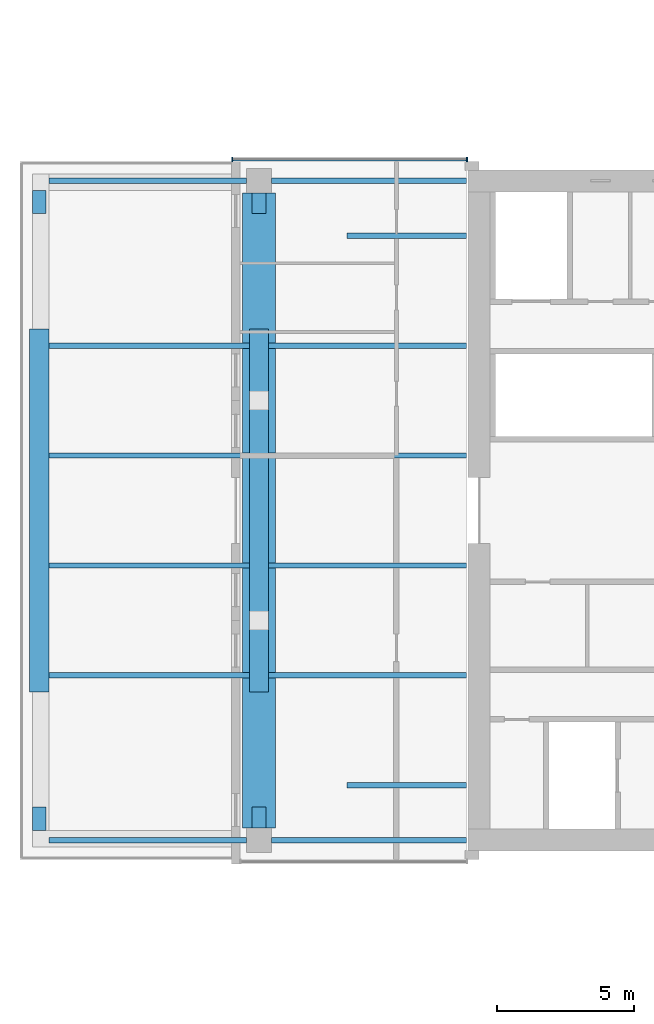
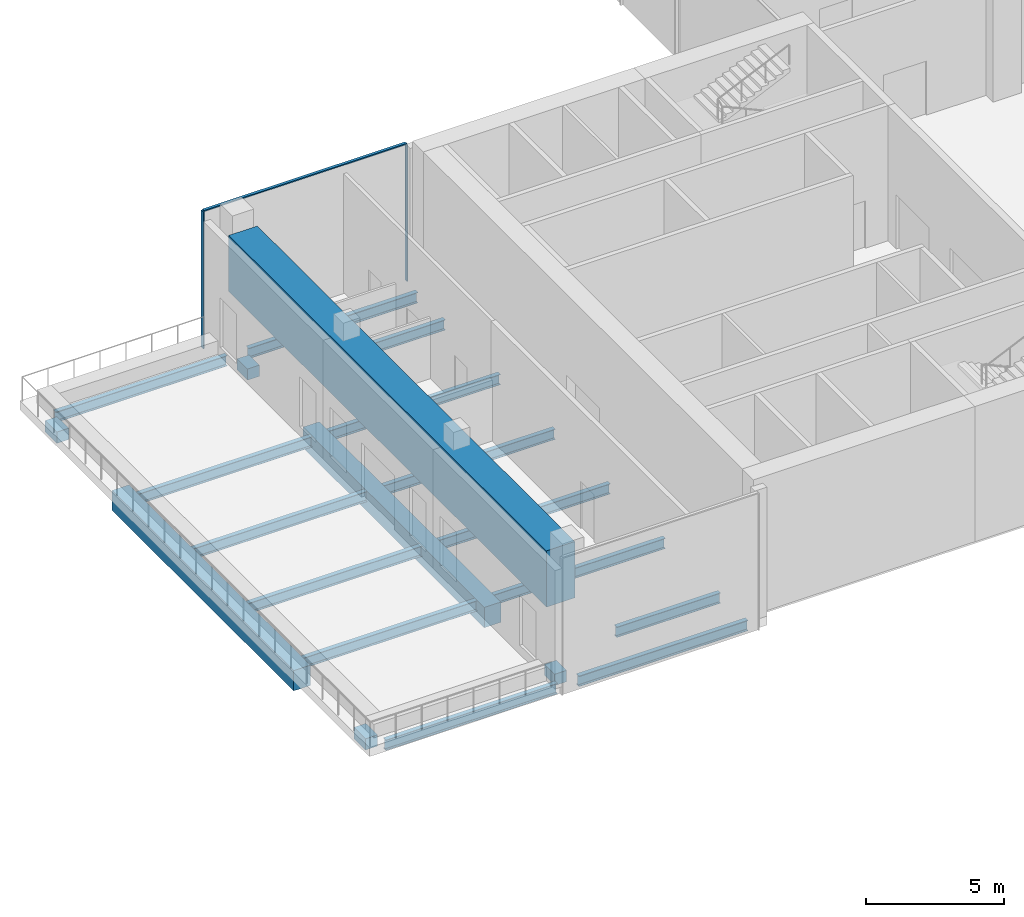
# One storey, part 6 of 23: 21 beams, 3 members, 1 element without a shape of its own.
"""IFC4 building model written with IfcOpenShell, lengths in metres."""

import ifcopenshell
import ifcopenshell.guid

model = None  # the IFC model being written
_history = None  # IfcOwnerHistory: only IFC2X3 demands one
_inside = {}  # id of a spatial element -> (the spatial element, [elements in it])
_under = {}  # id of a project, library or spatial element -> (it, [spatial elements below it])
_declared = {}  # id of a project -> (the project, [libraries it declares])
_typed = {}  # id of a type object -> (the type object, [elements of that type])
_made_of = {}  # id of a material, layer set ... -> (it, [elements and type objects made of it])


def new_model(schema):
    """Start an empty IFC model of exactly this schema.

    Asked for "IFC4X3", IfcOpenShell would pick the latest addendum, in which some entities
    have other attributes; the version numbers below select the first issue.
    IFC2X3 requires an IfcOwnerHistory on every rooted entity: one is made here for all.
    """
    global model, _history
    if schema == "IFC4X3":
        model = ifcopenshell.file(schema_version=(4, 3, 0, 0))
    else:
        model = ifcopenshell.file(schema=schema)
    _inside.clear()
    _under.clear()
    _declared.clear()
    _typed.clear()
    _made_of.clear()
    _history = None
    if model.schema == "IFC2X3":
        org = make("IfcOrganization", Name="unknown")
        user = make(
            "IfcPersonAndOrganization",
            ThePerson=make("IfcPerson", FamilyName="unknown"),
            TheOrganization=org,
        )
        app = make(
            "IfcApplication",
            ApplicationDeveloper=org,
            Version="unknown",
            ApplicationFullName="unknown",
            ApplicationIdentifier="unknown",
        )
        _history = make(
            "IfcOwnerHistory",
            OwningUser=user,
            OwningApplication=app,
            ChangeAction="ADDED",
            CreationDate=0,
        )
    return model


def make(cls, **values):
    """One entity of the class cls with the attributes given. An attribute that is None is left unset."""
    return model.create_entity(
        cls, **{name: value for name, value in values.items() if value is not None}
    )


def rooted(cls, **values):
    """An entity with a GlobalId (a new one), such as an element, a storey or a relation."""
    return make(cls, GlobalId=ifcopenshell.guid.new(), OwnerHistory=_history, **values)


def si_unit(unit_type, name, prefix=None):
    """IfcSIUnit, for example si_unit("LENGTHUNIT", "METRE", prefix="MILLI")."""
    return make("IfcSIUnit", UnitType=unit_type, Prefix=prefix, Name=name)


def assignment(units):
    """IfcUnitAssignment: the units of a project."""
    return None if units is None else make("IfcUnitAssignment", Units=units)


def point(xyz):
    """IfcCartesianPoint."""
    return None if xyz is None else make("IfcCartesianPoint", Coordinates=xyz)


def direction(xyz):
    """IfcDirection."""
    return None if xyz is None else make("IfcDirection", DirectionRatios=xyz)


def frame(location, z_axis=None, x_axis=None):
    """IfcAxis2Placement3D, a coordinate frame: its origin and axes. An axis left out is left unset."""
    return make(
        "IfcAxis2Placement3D",
        Location=point(location),
        Axis=direction(z_axis),
        RefDirection=direction(x_axis),
    )


def frame_2d(location, x_axis=None):
    """IfcAxis2Placement2D, a coordinate frame in the plane: its origin and x axis."""
    return make(
        "IfcAxis2Placement2D", Location=point(location), RefDirection=direction(x_axis)
    )


def origin():
    """The frame at (0, 0, 0) with its axes left unset."""
    return frame((0.0, 0.0, 0.0))


def origin_2d():
    """The frame at (0, 0) in the plane with its x axis left unset."""
    return frame_2d((0.0, 0.0))


def place(relative_to, where):
    """IfcLocalPlacement: puts the frame where relative to a parent placement (None: the world)."""
    return make(
        "IfcLocalPlacement", PlacementRelTo=relative_to, RelativePlacement=where
    )


def context(
    kind, dimensions, precision=None, world=None, true_north=None, identifier=None
):
    """IfcGeometricRepresentationContext, for example the 3D "Model" context."""
    return make(
        "IfcGeometricRepresentationContext",
        ContextIdentifier=identifier,
        ContextType=kind,
        CoordinateSpaceDimension=dimensions,
        Precision=precision,
        WorldCoordinateSystem=world,
        TrueNorth=true_north,
    )


def subcontext(parent, identifier, kind, view, scale=None):
    """IfcGeometricRepresentationSubContext, for example "Body" below "Model"."""
    return make(
        "IfcGeometricRepresentationSubContext",
        ContextIdentifier=identifier,
        ContextType=kind,
        ParentContext=parent,
        TargetScale=scale,
        TargetView=view,
    )


def project(units=None, contexts=None):
    """IfcProject with its units and contexts."""
    return rooted(
        "IfcProject",
        Name="project",
        RepresentationContexts=contexts,
        UnitsInContext=assignment(units),
    )


def spatial(cls, under=None, at=None, **own):
    """A site, building, storey or space (cls), placed at a placement, below another one or the project."""
    s = rooted(cls, ObjectPlacement=at, **own)
    if under is not None:
        _under.setdefault(under.id(), (under, []))[1].append(s)
    return s


def profile(cls, at=None, kind="AREA", **sizes):
    """A parametric profile (cls). Its sizes go by their IFC names, for example OverallWidth=200.0."""
    return make(cls, ProfileType=kind, Position=at, **sizes)


def rectangle(**sizes):
    """IfcRectangleProfileDef."""
    return profile("IfcRectangleProfileDef", **sizes)


def i_section(**sizes):
    """IfcIShapeProfileDef."""
    return profile("IfcIShapeProfileDef", **sizes)


def extrude(swept, where, along, depth):
    """IfcExtrudedAreaSolid: the profile swept, set in the frame where, extruded along a direction by depth."""
    return make(
        "IfcExtrudedAreaSolid",
        SweptArea=swept,
        Position=where,
        ExtrudedDirection=direction(along),
        Depth=depth,
    )


def shape(context_of_items, identifier, shape_type, items):
    """IfcShapeRepresentation: the items that make up one representation, for example the "Body"."""
    return make(
        "IfcShapeRepresentation",
        ContextOfItems=context_of_items,
        RepresentationIdentifier=identifier,
        RepresentationType=shape_type,
        Items=items,
    )


def material(Name=None, Category=None):
    """IfcMaterial."""
    return make("IfcMaterial", Name=Name, Category=Category)


def material_profile(
    of_material, cross_section, Name=None, Category=None, Priority=None
):
    """IfcMaterialProfile: a cross section and its material."""
    return make(
        "IfcMaterialProfile",
        Name=Name,
        Material=of_material,
        Profile=cross_section,
        Priority=Priority,
        Category=Category,
    )


def profile_set(profiles, Name=None, composite=None):
    """IfcMaterialProfileSet."""
    return make(
        "IfcMaterialProfileSet",
        Name=Name,
        MaterialProfiles=profiles,
        CompositeProfile=composite,
    )


def made_of(thing, what):
    """Note that an element or type object is made of a material, layer set ...; save() writes the relation."""
    if what is not None:
        _made_of.setdefault(what.id(), (what, []))[1].append(thing)
    return thing


def type_object(cls, material=None, **own):
    """A type object (cls), such as IfcWallType, which elements share."""
    return made_of(rooted(cls, **own), material)


def element(
    cls,
    number,
    at=None,
    inside=None,
    cuts=None,
    type_object=None,
    material=None,
    context=None,
    identifier="Body",
    shape_type=None,
    held_by="IfcProductDefinitionShape",
    body=None,
    shapes=None,
    **own,
):
    """One element of the class cls, such as IfcWall. Its Tag is "e" and its number.

    at: its placement. inside: the storey or other place that contains it. cuts: it is an
    opening in that element (IfcRelVoidsElement). A single representation is given by context,
    identifier, shape_type and body (its items); several are given by shapes. held_by: the class
    of the entity that holds the representations. save() writes the other relations.
    """
    e = rooted(cls, Tag="e%d" % number, ObjectPlacement=at, **own)
    if body is not None:
        shapes = [shape(context, identifier, shape_type, body)]
    if shapes is not None:
        e.Representation = make(held_by, Representations=shapes)
    if inside is not None:
        _inside.setdefault(inside.id(), (inside, []))[1].append(e)
    if cuts is not None:
        rooted(
            "IfcRelVoidsElement", RelatingBuildingElement=cuts, RelatedOpeningElement=e
        )
    if type_object is not None:
        _typed.setdefault(type_object.id(), (type_object, []))[1].append(e)
    return made_of(e, material)


def aggregate(whole, parts):
    """IfcRelAggregates: a whole, such as a stair, and the parts it consists of."""
    return rooted("IfcRelAggregates", RelatingObject=whole, RelatedObjects=parts)


def save(model, path):
    """Write the relations noted so far, then the file.

    IfcRelAggregates (storeys below a building ...), IfcRelContainedInSpatialStructure (elements
    in a storey), IfcRelDefinesByType, IfcRelAssociatesMaterial and IfcRelDeclares: one each for
    every whole, place, type object, material and project.
    """
    for whole, parts in _under.values():
        aggregate(whole, parts)
    for where, things in _inside.values():
        rooted(
            "IfcRelContainedInSpatialStructure",
            RelatedElements=things,
            RelatingStructure=where,
        )
    for kind, things in _typed.values():
        rooted("IfcRelDefinesByType", RelatedObjects=things, RelatingType=kind)
    for what, things in _made_of.values():
        rooted("IfcRelAssociatesMaterial", RelatedObjects=things, RelatingMaterial=what)
    for by, libraries in _declared.values():
        rooted("IfcRelDeclares", RelatingContext=by, RelatedDefinitions=libraries)
    model.write(path)


model = new_model("IFC4")

# Units and contexts
model_context = context("Model", 3, precision=1e-05, world=origin(), true_north=direction((0.0, 1.0)))
body_context = subcontext(model_context, "Body", "Model", "MODEL_VIEW")
ifc_project = project(units=[si_unit("LENGTHUNIT", "METRE"), si_unit("AREAUNIT", "SQUARE_METRE"), si_unit("VOLUMEUNIT", "CUBIC_METRE"), si_unit("PLANEANGLEUNIT", "RADIAN"), si_unit("MASSUNIT", "GRAM", prefix="KILO")], contexts=[model_context])

# Site, building, storey
site_placement = place(None, origin())
site = spatial("IfcSite", under=ifc_project, at=site_placement, CompositionType="ELEMENT")
building_placement = place(site_placement, origin())
building = spatial("IfcBuilding", under=site, at=building_placement, Name="Crosswind Convention Tower", CompositionType="ELEMENT")
storey_placement = place(building_placement, frame((0.0, 0.0, 47.5)))
storey = spatial("IfcBuildingStorey", under=building, at=storey_placement, Name="L06", CompositionType="ELEMENT", Elevation=47.5)

# Beams
ifc_material_1 = material(Name="Steel S355", Category="steel")
ifc_material_profile_1 = material_profile(ifc_material_1, i_section(OverallWidth=0.19189453125, OverallDepth=0.463623046875, WebThickness=0.010498046875, FlangeThickness=0.017578125, FilletRadius=0.01025390625, at=origin_2d()), Name="UB 457x191x90")
ifc_profile_set_1 = profile_set([ifc_material_profile_1], Name="Steel S355")
beam_type_1 = type_object("IfcBeamType", Name="Edge beam UB 457x191x90", PredefinedType="SPANDREL", material=ifc_profile_set_1)
for number, where, z_axis, x_axis, name in (
    (1, (81.35009765625, 88.0, -0.6318359375), (1.0, 0.0, 0.0), (0.0, 1.0, 0.0), "B19 L06 edge beam 1"),
    (2, (81.35009765625, 112.0, -0.6318359375), (1.0, 0.0, 0.0), (0.0, 1.0, 0.0), "B19 L06 edge beam 2"),
):
    element("IfcBeam", number, at=place(storey_placement, frame(where, z_axis=z_axis, x_axis=x_axis)), inside=storey, type_object=beam_type_1, Name=name, PredefinedType="SPANDREL", context=body_context, shape_type="SweptSolid", body=[
        extrude(i_section(OverallWidth=0.19189453125, OverallDepth=0.463623046875, WebThickness=0.010498046875, FlangeThickness=0.017578125, FilletRadius=0.01025390625, at=origin_2d()), origin(), (0.0, 0.0, 1.0), 7.199951171875),
    ])
for number, where, z_axis, x_axis, name in (
    (3, (89.449951171875, 88.0, -0.6318359375), (1.0, 0.0, 0.0), (0.0, 1.0, 0.0), "B19 L06 edge beam 3"),
    (4, (89.449951171875, 112.0, -0.6318359375), (1.0, 0.0, 0.0), (0.0, 1.0, 0.0), "B19 L06 edge beam 4"),
):
    element("IfcBeam", number, at=place(storey_placement, frame(where, z_axis=z_axis, x_axis=x_axis)), inside=storey, type_object=beam_type_1, Name=name, PredefinedType="SPANDREL", context=body_context, shape_type="SweptSolid", body=[
        extrude(i_section(OverallWidth=0.19189453125, OverallDepth=0.463623046875, WebThickness=0.010498046875, FlangeThickness=0.017578125, FilletRadius=0.01025390625, at=origin_2d()), origin(), (0.0, 0.0, 1.0), 7.10009765625),
    ])

# Curtain wall, members
ifc_material_2 = material(Name="Aluminium unitised curtain wall", Category="aluminium")
curtain_wall_type = type_object("IfcCurtainWallType", Name="CORE END SLOT WALL 160", PredefinedType="USERDEFINED", material=ifc_material_2)
curtain_wall_placement = place(storey_placement, origin())
curtain_wall = element("IfcCurtainWall", 5, at=curtain_wall_placement, inside=storey, type_object=curtain_wall_type, Name="CW6 L06 W-N.2-1 slot", ObjectType="UNITISED", PredefinedType="USERDEFINED")
ifc_material_3 = material(Name="Aluminium mullion", Category="aluminium")
ifc_material_profile_2 = material_profile(ifc_material_3, rectangle(XDim=0.159912109375, YDim=0.050048828125, at=origin_2d()), Name="AL 160X50")
ifc_profile_set_2 = profile_set([ifc_material_profile_2], Name="Aluminium mullion")
member_type_1 = type_object("IfcMemberType", Name="MULLION 50X160", PredefinedType="MULLION", material=ifc_profile_set_2)
member_1_placement = place(storey_placement, frame((96.574951171875, 112.780029296875, -0.39990234375), z_axis=(0.0, 0.0, 1.0), x_axis=(0.0, 1.0, 0.0)))
member_1 = element("IfcMember", 6, at=member_1_placement, type_object=member_type_1, Name="CW6 mullion 1", PredefinedType="MULLION", context=body_context, shape_type="SweptSolid", body=[
    extrude(rectangle(XDim=0.159912109375, YDim=0.050048828125, at=origin_2d()), origin(), (0.0, 0.0, 1.0), 6.06982421875),
])
member_2_placement = place(storey_placement, frame((88.02490234375, 112.780029296875, -0.39990234375), z_axis=(0.0, 0.0, 1.0), x_axis=(0.0, 1.0, 0.0)))
member_2 = element("IfcMember", 7, at=member_2_placement, type_object=member_type_1, Name="CW6 mullion 2", PredefinedType="MULLION", context=body_context, shape_type="SweptSolid", body=[
    extrude(rectangle(XDim=0.159912109375, YDim=0.050048828125, at=origin_2d()), origin(), (0.0, 0.0, 1.0), 6.06982421875),
])

# Beams
ifc_material_4 = material(Name="Concrete C60/75", Category="concrete")
ifc_material_profile_3 = material_profile(ifc_material_4, rectangle(XDim=0.699951171875, YDim=0.89990234375, at=origin_2d()), Name="RC 700X900")
ifc_profile_set_3 = profile_set([ifc_material_profile_3], Name="Concrete C60/75")
beam_type_2 = type_object("IfcBeamType", Name="Prestressed concrete girder between stair walls RC 700X900", PredefinedType="BEAM", material=ifc_profile_set_3)
for number, where, z_axis, x_axis, name in (
    (8, (81.0, 93.39990234375, -0.85009765625), (0.0, 1.0, 0.0), (-1.0, 0.0, 0.0), "B41 L06 prestressed concrete girder between stair walls 1"),
    (9, (89.0, 93.39990234375, -0.85009765625), (0.0, 1.0, 0.0), (-1.0, 0.0, 0.0), "B41 L06 prestressed concrete girder between stair walls 2"),
):
    element("IfcBeam", number, at=place(storey_placement, frame(where, z_axis=z_axis, x_axis=x_axis)), inside=storey, type_object=beam_type_2, Name=name, PredefinedType="BEAM", context=body_context, shape_type="SweptSolid", body=[
        extrude(rectangle(XDim=0.699951171875, YDim=0.89990234375, at=origin_2d()), origin(), (0.0, 0.0, 1.0), 13.2001953125),
    ])
ifc_material_profile_4 = material_profile(ifc_material_1, i_section(OverallWidth=0.1904296875, OverallDepth=0.457275390625, WebThickness=0.009033203125, FlangeThickness=0.014404296875, FilletRadius=0.01025390625, at=origin_2d()), Name="UB 457x191x75")
ifc_profile_set_4 = profile_set([ifc_material_profile_4], Name="Steel S355")
beam_type_3 = type_object("IfcBeamType", Name="Secondary beam UB 457x191x75", PredefinedType="JOIST", material=ifc_profile_set_4)
for number, where, z_axis, x_axis, name in (
    (10, (81.35009765625, 94.0, -0.628662109375), (1.0, 0.0, 0.0), (0.0, 1.0, 0.0), "B12 L06 secondary beam 1"),
    (11, (81.35009765625, 98.0, -0.628662109375), (1.0, 0.0, 0.0), (0.0, 1.0, 0.0), "B12 L06 secondary beam 2"),
    (12, (81.35009765625, 102.0, -0.628662109375), (1.0, 0.0, 0.0), (0.0, 1.0, 0.0), "B12 L06 secondary beam 3"),
    (13, (81.35009765625, 106.0, -0.628662109375), (1.0, 0.0, 0.0), (0.0, 1.0, 0.0), "B12 L06 secondary beam 4"),
):
    element("IfcBeam", number, at=place(storey_placement, frame(where, z_axis=z_axis, x_axis=x_axis)), inside=storey, type_object=beam_type_3, Name=name, PredefinedType="JOIST", context=body_context, shape_type="SweptSolid", body=[
        extrude(i_section(OverallWidth=0.1904296875, OverallDepth=0.457275390625, WebThickness=0.009033203125, FlangeThickness=0.014404296875, FilletRadius=0.01025390625, at=origin_2d()), origin(), (0.0, 0.0, 1.0), 7.2998046875),
    ])
for number, where, z_axis, x_axis, name in (
    (14, (89.35009765625, 94.0, -0.628662109375), (1.0, 0.0, 0.0), (0.0, 1.0, 0.0), "B12 L06 secondary beam 5"),
    (15, (89.35009765625, 98.0, -0.628662109375), (1.0, 0.0, 0.0), (0.0, 1.0, 0.0), "B12 L06 secondary beam 6"),
    (16, (89.35009765625, 102.0, -0.628662109375), (1.0, 0.0, 0.0), (0.0, 1.0, 0.0), "B12 L06 secondary beam 7"),
    (17, (89.35009765625, 106.0, -0.628662109375), (1.0, 0.0, 0.0), (0.0, 1.0, 0.0), "B12 L06 secondary beam 8"),
):
    element("IfcBeam", number, at=place(storey_placement, frame(where, z_axis=z_axis, x_axis=x_axis)), inside=storey, type_object=beam_type_3, Name=name, PredefinedType="JOIST", context=body_context, shape_type="SweptSolid", body=[
        extrude(i_section(OverallWidth=0.1904296875, OverallDepth=0.457275390625, WebThickness=0.009033203125, FlangeThickness=0.014404296875, FilletRadius=0.01025390625, at=origin_2d()), origin(), (0.0, 0.0, 1.0), 7.199951171875),
    ])
for number, where, z_axis, x_axis, name in (
    (18, (92.199951171875, 90.0, -0.628662109375), (1.0, 0.0, 0.0), (0.0, 1.0, 0.0), "B12 L06 secondary beam 9"),
    (19, (92.199951171875, 110.0, -0.628662109375), (1.0, 0.0, 0.0), (0.0, 1.0, 0.0), "B12 L06 secondary beam 10"),
):
    element("IfcBeam", number, at=place(storey_placement, frame(where, z_axis=z_axis, x_axis=x_axis)), inside=storey, type_object=beam_type_3, Name=name, PredefinedType="JOIST", context=body_context, shape_type="SweptSolid", body=[
        extrude(i_section(OverallWidth=0.1904296875, OverallDepth=0.457275390625, WebThickness=0.009033203125, FlangeThickness=0.014404296875, FilletRadius=0.01025390625, at=origin_2d()), origin(), (0.0, 0.0, 1.0), 4.35009765625),
    ])
ifc_material_profile_5 = material_profile(ifc_material_4, rectangle(XDim=0.5, YDim=0.5, at=origin_2d()), Name="RC 500X500")
ifc_profile_set_5 = profile_set([ifc_material_profile_5], Name="Concrete C60/75")
beam_type_4 = type_object("IfcBeamType", Name="Slab edge tie beam RC 500X500", PredefinedType="BEAM", material=ifc_profile_set_5)
for number, where, z_axis, x_axis, name in (
    (20, (81.0, 88.35009765625, -0.64990234375), (0.0, 1.0, 0.0), (-1.0, 0.0, 0.0), "B42 L06 slab edge tie beam 1"),
    (21, (81.0, 110.800048828125, -0.64990234375), (0.0, 1.0, 0.0), (-1.0, 0.0, 0.0), "B42 L06 slab edge tie beam 2"),
):
    element("IfcBeam", number, at=place(storey_placement, frame(where, z_axis=z_axis, x_axis=x_axis)), inside=storey, type_object=beam_type_4, Name=name, PredefinedType="BEAM", context=body_context, shape_type="SweptSolid", body=[
        extrude(rectangle(XDim=0.5, YDim=0.5, at=origin_2d()), origin(), (0.0, 0.0, 1.0), 0.849853515625),
    ])
for number, where, z_axis, x_axis, name in (
    (22, (89.0, 88.449951171875, -0.64990234375), (0.0, 1.0, 0.0), (-1.0, 0.0, 0.0), "B42 L06 slab edge tie beam 3"),
    (23, (89.0, 110.800048828125, -0.64990234375), (0.0, 1.0, 0.0), (-1.0, 0.0, 0.0), "B42 L06 slab edge tie beam 4"),
):
    element("IfcBeam", number, at=place(storey_placement, frame(where, z_axis=z_axis, x_axis=x_axis)), inside=storey, type_object=beam_type_4, Name=name, PredefinedType="BEAM", context=body_context, shape_type="SweptSolid", body=[
        extrude(rectangle(XDim=0.5, YDim=0.5, at=origin_2d()), origin(), (0.0, 0.0, 1.0), 0.75),
    ])

# Member
ifc_material_5 = material(Name="Aluminium transom", Category="aluminium")
ifc_material_profile_6 = material_profile(ifc_material_5, rectangle(XDim=0.1201171875, YDim=0.050048828125, at=origin_2d()), Name="AL 120X50")
ifc_profile_set_6 = profile_set([ifc_material_profile_6], Name="Aluminium transom")
member_type_2 = type_object("IfcMemberType", Name="TRANSOM 50X120", PredefinedType="USERDEFINED", material=ifc_profile_set_6)
member_3_placement = place(storey_placement, frame((96.550048828125, 112.780029296875, 5.695068359375), z_axis=(-1.0, 0.0, 0.0), x_axis=(0.0, -1.0, 0.0)))
member_3 = element("IfcMember", 24, at=member_3_placement, type_object=member_type_2, Name="CW6 transom", ObjectType="TRANSOM", PredefinedType="USERDEFINED", context=body_context, shape_type="SweptSolid", body=[
    extrude(rectangle(XDim=0.1201171875, YDim=0.050048828125, at=origin_2d()), origin(), (0.0, 0.0, 1.0), 8.5),
])

aggregate(curtain_wall, [member_1, member_2, member_3])

# Beam
ifc_material_6 = material(Name="Concrete C70/85", Category="concrete")
ifc_material_profile_7 = material_profile(ifc_material_6, rectangle(XDim=1.199951171875, YDim=2.5, at=origin_2d()), Name="RC 1200X2500")
ifc_profile_set_7 = profile_set([ifc_material_profile_7], Name="Concrete C70/85")
beam_type_5 = type_object("IfcBeamType", Name="Transfer girder RC 1200X2500", PredefinedType="BEAM", material=ifc_profile_set_7)
beam_placement = place(storey_placement, frame((89.0, 88.449951171875, 3.949951171875), z_axis=(0.0, 1.0, 0.0), x_axis=(-1.0, 0.0, 0.0)))
element("IfcBeam", 25, at=beam_placement, inside=storey, type_object=beam_type_5, Name="B40 L06 transfer girder W36", PredefinedType="BEAM", context=body_context, shape_type="SweptSolid", body=[
    extrude(rectangle(XDim=1.199951171875, YDim=2.5, at=origin_2d()), origin(), (0.0, 0.0, 1.0), 23.10009765625),
])

save(model, "model.ifc")
